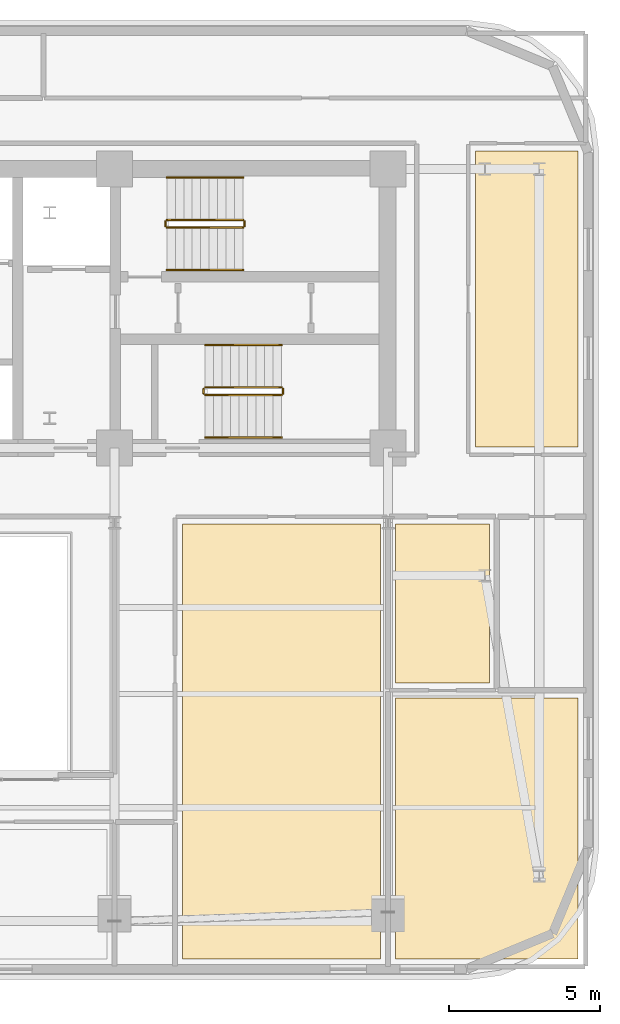
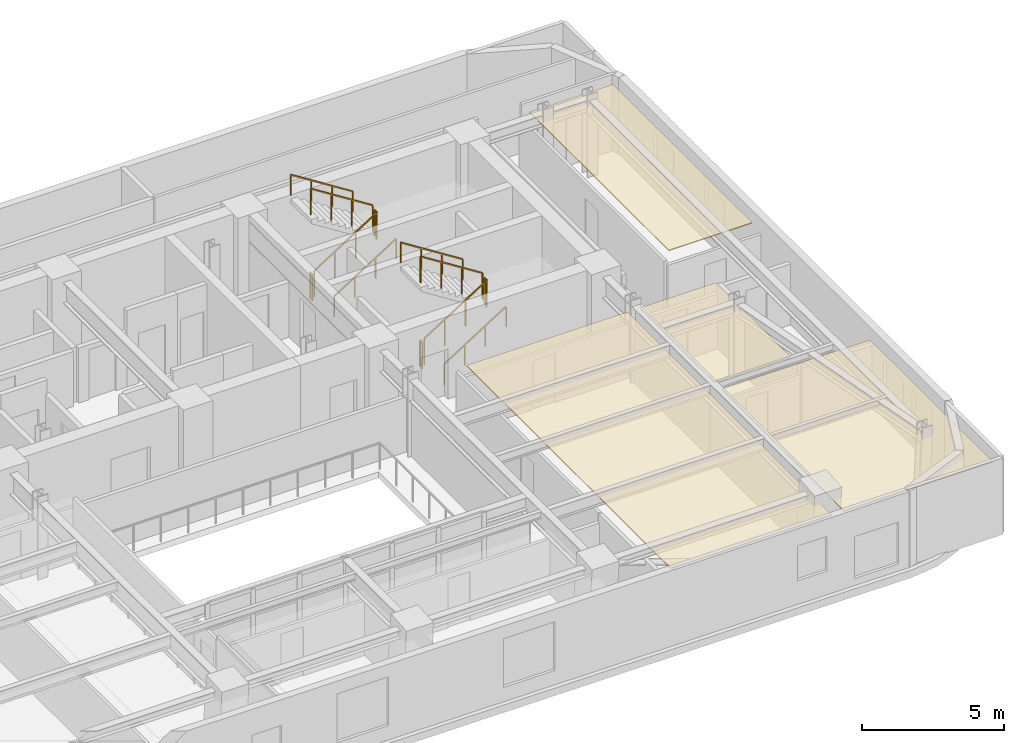
# One storey, part 11 of 11: 12 railings, 4 coverings.
"""IFC4 building model written with IfcOpenShell, lengths in metres."""

from ifc_helpers import new_model, si_unit, direction, frame, origin, origin_2d, place, context, subcontext, project, spatial, polyline, rectangle, outline, extrude, material, layer, layer_set, type_object, element, save


model = new_model("IFC4")

# Units and contexts
model_context = context("Model", 3, precision=1e-05, world=origin(), true_north=direction((0.0, 1.0)))
body_context = subcontext(model_context, "Body", "Model", "MODEL_VIEW")
ifc_project = project(units=[si_unit("LENGTHUNIT", "METRE"), si_unit("AREAUNIT", "SQUARE_METRE"), si_unit("VOLUMEUNIT", "CUBIC_METRE"), si_unit("PLANEANGLEUNIT", "RADIAN"), si_unit("MASSUNIT", "GRAM", prefix="KILO")], contexts=[model_context])

# Site, building, storey
site_placement = place(None, origin())
site = spatial("IfcSite", under=ifc_project, at=site_placement, CompositionType="ELEMENT")
building_placement = place(site_placement, origin())
building = spatial("IfcBuilding", under=site, at=building_placement, Name="Zarnavel Station Tower", CompositionType="ELEMENT")
storey_placement = place(building_placement, frame((0.0, 0.0, 151.89990234375)))
storey = spatial("IfcBuildingStorey", under=building, at=storey_placement, Name="L41", CompositionType="ELEMENT", Elevation=151.89990234375)

# Coverings
ifc_material_1 = material(Name="Perforated Gypsum and Mineral-Wool Acoustic Ceiling", Category="concrete")
ifc_layer = layer(ifc_material_1, 0.0400390625)
ifc_layer_set = layer_set([ifc_layer], Name="COV_CEIL_ACOUSTIC")
covering_type = type_object("IfcCoveringType", Name="COV_CEIL_ACOUSTIC", PredefinedType="CEILING", material=ifc_layer_set)
covering_1_placement = place(storey_placement, frame((0.0, 0.0, 2.97021484375)))
element("IfcCovering", 1, at=covering_1_placement, inside=storey, type_object=covering_type, Name="L41 FNE Acoustic Ceiling", PredefinedType="CEILING", context=body_context, shape_type="SweptSolid", body=[
    extrude(outline(polyline([(48.300048828125, 27.85009765625), (51.68994140625, 27.85009765625), (51.68994140625, 37.64990234375), (48.300048828125, 37.64990234375), (48.300048828125, 27.85009765625)])), origin(), (0.0, 0.0, 1.0), 0.039794921875),
])
covering_2_placement = place(storey_placement, frame((0.0, 0.0, 2.97021484375)))
element("IfcCovering", 2, at=covering_2_placement, inside=storey, type_object=covering_type, Name="L41 L41CIN Acoustic Ceiling", PredefinedType="CEILING", context=body_context, shape_type="SweptSolid", body=[
    extrude(outline(polyline([(38.60009765625, 10.909912109375), (45.14990234375, 10.909912109375), (45.14990234375, 25.300048828125), (38.60009765625, 25.300048828125), (38.60009765625, 10.909912109375)])), origin(), (0.0, 0.0, 1.0), 0.039794921875),
])
covering_3_placement = place(storey_placement, frame((0.0, 0.0, 2.97021484375)))
element("IfcCovering", 3, at=covering_3_placement, inside=storey, type_object=covering_type, Name="L41 L41GYM Acoustic Ceiling", PredefinedType="CEILING", context=body_context, shape_type="SweptSolid", body=[
    extrude(outline(polyline([(45.64990234375, 10.909912109375), (51.68994140625, 10.909912109375), (51.68994140625, 19.550048828125), (45.64990234375, 19.550048828125), (45.64990234375, 10.909912109375)])), origin(), (0.0, 0.0, 1.0), 0.039794921875),
])
covering_4_placement = place(storey_placement, frame((0.0, 0.0, 2.97021484375)))
element("IfcCovering", 4, at=covering_4_placement, inside=storey, type_object=covering_type, Name="L41 L41LNG Acoustic Ceiling", PredefinedType="CEILING", context=body_context, shape_type="SweptSolid", body=[
    extrude(outline(polyline([(45.64990234375, 20.050048828125), (48.75, 20.050048828125), (48.75, 25.300048828125), (45.64990234375, 25.300048828125), (45.64990234375, 20.050048828125)])), origin(), (0.0, 0.0, 1.0), 0.039794921875),
])

# Railings
ifc_material_2 = material(Name="Painted Steel S355J2 Balustrade", Category="steel")
railing_type_1 = type_object("IfcRailingType", Name="GR_INT_1150", PredefinedType="GUARDRAIL", material=ifc_material_2)
railing_1_placement = place(storey_placement, frame((38.080078125, 35.110107421875, 0.177490234375)))
element("IfcRailing", 5, at=railing_1_placement, inside=storey, type_object=railing_type_1, Name="L41 ST2 stair guard 1", PredefinedType="GUARDRAIL", context=body_context, shape_type="SweptSolid", body=[
    extrude(rectangle(XDim=0.048095703125, YDim=0.048095703125, at=origin_2d()), frame((0.001708984375, 0.0, 1.126953125), z_axis=(0.84456994832, 0.0, 0.535445237532), x_axis=(0.0, 1.0, 0.0)), (0.0, 0.0, 1.0), 2.979736328125),
    extrude(rectangle(XDim=0.0419921875, YDim=0.0419921875, at=origin_2d()), origin(), (0.0, 0.0, 1.0), 1.101806640625),
    extrude(rectangle(XDim=0.0419921875, YDim=0.0419921875, at=origin_2d()), frame((0.840087890625, 0.0, 0.532470703125)), (0.0, 0.0, 1.0), 1.101806640625),
    extrude(rectangle(XDim=0.0419921875, YDim=0.0419921875, at=origin_2d()), frame((1.679931640625, 0.0, 1.065185546875)), (0.0, 0.0, 1.0), 1.101806640625),
    extrude(rectangle(XDim=0.0419921875, YDim=0.0419921875, at=origin_2d()), frame((2.52001953125, 0.0, 1.59765625)), (0.0, 0.0, 1.0), 1.101806640625),
])
railing_2_placement = place(storey_placement, frame((40.64990234375, 35.159912109375, 1.775146484375)))
element("IfcRailing", 6, at=railing_2_placement, inside=storey, type_object=railing_type_1, Name="L41 ST2 stair guard 2", PredefinedType="GUARDRAIL", context=body_context, shape_type="SweptSolid", body=[
    extrude(rectangle(XDim=0.048095703125, YDim=0.048095703125, at=origin_2d()), frame((0.0, 0.001953125, 1.1259765625), z_axis=(0.0, 1.0, 0.0), x_axis=(-1.0, 0.0, 0.0)), (0.0, 0.0, 1.0), 0.15625),
    extrude(rectangle(XDim=0.0419921875, YDim=0.0419921875, at=origin_2d()), origin(), (0.0, 0.0, 1.0), 1.101806640625),
    extrude(rectangle(XDim=0.0419921875, YDim=0.0419921875, at=origin_2d()), frame((0.0, 0.16015625, 0.0)), (0.0, 0.0, 1.0), 1.101806640625),
])
railing_3_placement = place(storey_placement, frame((40.60009765625, 35.3701171875, 1.95263671875)))
element("IfcRailing", 7, at=railing_3_placement, inside=storey, type_object=railing_type_1, Name="L41 ST2 stair guard 3", PredefinedType="GUARDRAIL", context=body_context, shape_type="SweptSolid", body=[
    extrude(rectangle(XDim=0.048095703125, YDim=0.048095703125, at=origin_2d()), frame((-0.001708984375, 0.0, 1.126953125), z_axis=(-0.84460694969, 0.0, 0.535386869969), x_axis=(0.0, -1.0, 0.0)), (0.0, 0.0, 1.0), 2.979736328125),
    extrude(rectangle(XDim=0.0419921875, YDim=0.0419921875, at=origin_2d()), origin(), (0.0, 0.0, 1.0), 1.101806640625),
    extrude(rectangle(XDim=0.0419921875, YDim=0.0419921875, at=origin_2d()), frame((-0.840087890625, 0.0, 0.532470703125)), (0.0, 0.0, 1.0), 1.101806640625),
    extrude(rectangle(XDim=0.0419921875, YDim=0.0419921875, at=origin_2d()), frame((-1.679931640625, 0.0, 1.06494140625)), (0.0, 0.0, 1.0), 1.101806640625),
    extrude(rectangle(XDim=0.0419921875, YDim=0.0419921875, at=origin_2d()), frame((-2.52001953125, 0.0, 1.597412109375)), (0.0, 0.0, 1.0), 1.101806640625),
])
railing_4_placement = place(storey_placement, frame((38.030029296875, 35.159912109375, 0.0)))
element("IfcRailing", 8, at=railing_4_placement, inside=storey, type_object=railing_type_1, Name="L41 ST2 stair guard 4", PredefinedType="GUARDRAIL", context=body_context, shape_type="SweptSolid", body=[
    extrude(rectangle(XDim=0.048095703125, YDim=0.048095703125, at=origin_2d()), frame((0.0, 0.001953125, 1.1259765625), z_axis=(0.0, 1.0, 0.0), x_axis=(-1.0, 0.0, 0.0)), (0.0, 0.0, 1.0), 0.15625),
    extrude(rectangle(XDim=0.0419921875, YDim=0.0419921875, at=origin_2d()), origin(), (0.0, 0.0, 1.0), 1.101806640625),
    extrude(rectangle(XDim=0.0419921875, YDim=0.0419921875, at=origin_2d()), frame((0.0, 0.16015625, 0.0)), (0.0, 0.0, 1.0), 1.101806640625),
])
railing_5_placement = place(storey_placement, frame((39.35009765625, 29.570068359375, 0.177490234375)))
element("IfcRailing", 9, at=railing_5_placement, inside=storey, type_object=railing_type_1, Name="L41 ST3 stair guard 1", PredefinedType="GUARDRAIL", context=body_context, shape_type="SweptSolid", body=[
    extrude(rectangle(XDim=0.048095703125, YDim=0.048095703125, at=origin_2d()), frame((0.001708984375, 0.0, 1.126953125), z_axis=(0.84456994832, 0.0, 0.535445237532), x_axis=(0.0, 1.0, 0.0)), (0.0, 0.0, 1.0), 2.979736328125),
    extrude(rectangle(XDim=0.0419921875, YDim=0.0419921875, at=origin_2d()), origin(), (0.0, 0.0, 1.0), 1.101806640625),
    extrude(rectangle(XDim=0.0419921875, YDim=0.0419921875, at=origin_2d()), frame((0.840087890625, 0.0, 0.532470703125)), (0.0, 0.0, 1.0), 1.101806640625),
    extrude(rectangle(XDim=0.0419921875, YDim=0.0419921875, at=origin_2d()), frame((1.679931640625, 0.0, 1.065185546875)), (0.0, 0.0, 1.0), 1.101806640625),
    extrude(rectangle(XDim=0.0419921875, YDim=0.0419921875, at=origin_2d()), frame((2.52001953125, 0.0, 1.59765625)), (0.0, 0.0, 1.0), 1.101806640625),
])
railing_6_placement = place(storey_placement, frame((41.919921875, 29.6201171875, 1.775146484375)))
element("IfcRailing", 10, at=railing_6_placement, inside=storey, type_object=railing_type_1, Name="L41 ST3 stair guard 2", PredefinedType="GUARDRAIL", context=body_context, shape_type="SweptSolid", body=[
    extrude(rectangle(XDim=0.048095703125, YDim=0.048095703125, at=origin_2d()), frame((0.0, 0.001953125, 1.1259765625), z_axis=(0.0, 1.0, 0.0), x_axis=(-1.0, 0.0, 0.0)), (0.0, 0.0, 1.0), 0.156005859375),
    extrude(rectangle(XDim=0.0419921875, YDim=0.0419921875, at=origin_2d()), origin(), (0.0, 0.0, 1.0), 1.101806640625),
    extrude(rectangle(XDim=0.0419921875, YDim=0.0419921875, at=origin_2d()), frame((0.0, 0.159912109375, 0.0)), (0.0, 0.0, 1.0), 1.101806640625),
])
railing_7_placement = place(storey_placement, frame((41.8701171875, 29.830078125, 1.95263671875)))
element("IfcRailing", 11, at=railing_7_placement, inside=storey, type_object=railing_type_1, Name="L41 ST3 stair guard 3", PredefinedType="GUARDRAIL", context=body_context, shape_type="SweptSolid", body=[
    extrude(rectangle(XDim=0.048095703125, YDim=0.048095703125, at=origin_2d()), frame((-0.001708984375, 0.0, 1.126953125), z_axis=(-0.84460694969, 0.0, 0.535386869969), x_axis=(0.0, -1.0, 0.0)), (0.0, 0.0, 1.0), 2.979736328125),
    extrude(rectangle(XDim=0.0419921875, YDim=0.0419921875, at=origin_2d()), origin(), (0.0, 0.0, 1.0), 1.101806640625),
    extrude(rectangle(XDim=0.0419921875, YDim=0.0419921875, at=origin_2d()), frame((-0.840087890625, 0.0, 0.532470703125)), (0.0, 0.0, 1.0), 1.101806640625),
    extrude(rectangle(XDim=0.0419921875, YDim=0.0419921875, at=origin_2d()), frame((-1.679931640625, 0.0, 1.06494140625)), (0.0, 0.0, 1.0), 1.101806640625),
    extrude(rectangle(XDim=0.0419921875, YDim=0.0419921875, at=origin_2d()), frame((-2.52001953125, 0.0, 1.597412109375)), (0.0, 0.0, 1.0), 1.101806640625),
])
railing_8_placement = place(storey_placement, frame((39.300048828125, 29.6201171875, 0.0)))
element("IfcRailing", 12, at=railing_8_placement, inside=storey, type_object=railing_type_1, Name="L41 ST3 stair guard 4", PredefinedType="GUARDRAIL", context=body_context, shape_type="SweptSolid", body=[
    extrude(rectangle(XDim=0.048095703125, YDim=0.048095703125, at=origin_2d()), frame((0.0, 0.001953125, 1.1259765625), z_axis=(0.0, 1.0, 0.0), x_axis=(-1.0, 0.0, 0.0)), (0.0, 0.0, 1.0), 0.156005859375),
    extrude(rectangle(XDim=0.0419921875, YDim=0.0419921875, at=origin_2d()), origin(), (0.0, 0.0, 1.0), 1.101806640625),
    extrude(rectangle(XDim=0.0419921875, YDim=0.0419921875, at=origin_2d()), frame((0.0, 0.159912109375, 0.0)), (0.0, 0.0, 1.0), 1.101806640625),
])
ifc_material_3 = material(Name="Brushed Stainless Steel S355J2 Handrail", Category="steel")
railing_type_2 = type_object("IfcRailingType", Name="HR_STAIR_900", PredefinedType="HANDRAIL", material=ifc_material_3)
railing_9_placement = place(storey_placement, frame((38.080078125, 33.7099609375, 0.177490234375)))
element("IfcRailing", 13, at=railing_9_placement, inside=storey, type_object=railing_type_2, Name="L41 ST2 stair handrail 1", PredefinedType="HANDRAIL", context=body_context, shape_type="SweptSolid", body=[
    extrude(rectangle(XDim=0.048095703125, YDim=0.048095703125, at=origin_2d()), frame((0.001708984375, 0.0, 0.876953125), z_axis=(0.84456994832, 0.0, 0.535445237532), x_axis=(0.0, 1.0, 0.0)), (0.0, 0.0, 1.0), 2.979736328125),
    extrude(rectangle(XDim=0.0419921875, YDim=0.0419921875, at=origin_2d()), origin(), (0.0, 0.0, 1.0), 0.851806640625),
    extrude(rectangle(XDim=0.0419921875, YDim=0.0419921875, at=origin_2d()), frame((0.840087890625, 0.0, 0.532470703125)), (0.0, 0.0, 1.0), 0.851806640625),
    extrude(rectangle(XDim=0.0419921875, YDim=0.0419921875, at=origin_2d()), frame((1.679931640625, 0.0, 1.065185546875)), (0.0, 0.0, 1.0), 0.851806640625),
    extrude(rectangle(XDim=0.0419921875, YDim=0.0419921875, at=origin_2d()), frame((2.52001953125, 0.0, 1.59765625)), (0.0, 0.0, 1.0), 0.851806640625),
])
railing_10_placement = place(storey_placement, frame((40.60009765625, 36.77001953125, 1.95263671875)))
element("IfcRailing", 14, at=railing_10_placement, inside=storey, type_object=railing_type_2, Name="L41 ST2 stair handrail 2", PredefinedType="HANDRAIL", context=body_context, shape_type="SweptSolid", body=[
    extrude(rectangle(XDim=0.048095703125, YDim=0.048095703125, at=origin_2d()), frame((-0.001708984375, 0.0, 0.876953125), z_axis=(-0.84460694969, 0.0, 0.535386869969), x_axis=(0.0, -1.0, 0.0)), (0.0, 0.0, 1.0), 2.979736328125),
    extrude(rectangle(XDim=0.0419921875, YDim=0.0419921875, at=origin_2d()), origin(), (0.0, 0.0, 1.0), 0.851806640625),
    extrude(rectangle(XDim=0.0419921875, YDim=0.0419921875, at=origin_2d()), frame((-0.840087890625, 0.0, 0.532470703125)), (0.0, 0.0, 1.0), 0.851806640625),
    extrude(rectangle(XDim=0.0419921875, YDim=0.0419921875, at=origin_2d()), frame((-1.679931640625, 0.0, 1.06494140625)), (0.0, 0.0, 1.0), 0.851806640625),
    extrude(rectangle(XDim=0.0419921875, YDim=0.0419921875, at=origin_2d()), frame((-2.52001953125, 0.0, 1.597412109375)), (0.0, 0.0, 1.0), 0.851806640625),
])
railing_11_placement = place(storey_placement, frame((39.35009765625, 28.169921875, 0.177490234375)))
element("IfcRailing", 15, at=railing_11_placement, inside=storey, type_object=railing_type_2, Name="L41 ST3 stair handrail 1", PredefinedType="HANDRAIL", context=body_context, shape_type="SweptSolid", body=[
    extrude(rectangle(XDim=0.048095703125, YDim=0.048095703125, at=origin_2d()), frame((0.001708984375, 0.0, 0.876953125), z_axis=(0.84456994832, 0.0, 0.535445237532), x_axis=(0.0, 1.0, 0.0)), (0.0, 0.0, 1.0), 2.979736328125),
    extrude(rectangle(XDim=0.0419921875, YDim=0.0419921875, at=origin_2d()), origin(), (0.0, 0.0, 1.0), 0.851806640625),
    extrude(rectangle(XDim=0.0419921875, YDim=0.0419921875, at=origin_2d()), frame((0.840087890625, 0.0, 0.532470703125)), (0.0, 0.0, 1.0), 0.851806640625),
    extrude(rectangle(XDim=0.0419921875, YDim=0.0419921875, at=origin_2d()), frame((1.679931640625, 0.0, 1.065185546875)), (0.0, 0.0, 1.0), 0.851806640625),
    extrude(rectangle(XDim=0.0419921875, YDim=0.0419921875, at=origin_2d()), frame((2.52001953125, 0.0, 1.59765625)), (0.0, 0.0, 1.0), 0.851806640625),
])
railing_12_placement = place(storey_placement, frame((41.8701171875, 31.22998046875, 1.95263671875)))
element("IfcRailing", 16, at=railing_12_placement, inside=storey, type_object=railing_type_2, Name="L41 ST3 stair handrail 2", PredefinedType="HANDRAIL", context=body_context, shape_type="SweptSolid", body=[
    extrude(rectangle(XDim=0.048095703125, YDim=0.048095703125, at=origin_2d()), frame((-0.001708984375, 0.0, 0.876953125), z_axis=(-0.84460694969, 0.0, 0.535386869969), x_axis=(0.0, -1.0, 0.0)), (0.0, 0.0, 1.0), 2.979736328125),
    extrude(rectangle(XDim=0.0419921875, YDim=0.0419921875, at=origin_2d()), origin(), (0.0, 0.0, 1.0), 0.851806640625),
    extrude(rectangle(XDim=0.0419921875, YDim=0.0419921875, at=origin_2d()), frame((-0.840087890625, 0.0, 0.532470703125)), (0.0, 0.0, 1.0), 0.851806640625),
    extrude(rectangle(XDim=0.0419921875, YDim=0.0419921875, at=origin_2d()), frame((-1.679931640625, 0.0, 1.06494140625)), (0.0, 0.0, 1.0), 0.851806640625),
    extrude(rectangle(XDim=0.0419921875, YDim=0.0419921875, at=origin_2d()), frame((-2.52001953125, 0.0, 1.597412109375)), (0.0, 0.0, 1.0), 0.851806640625),
])

save(model, "model.ifc")
